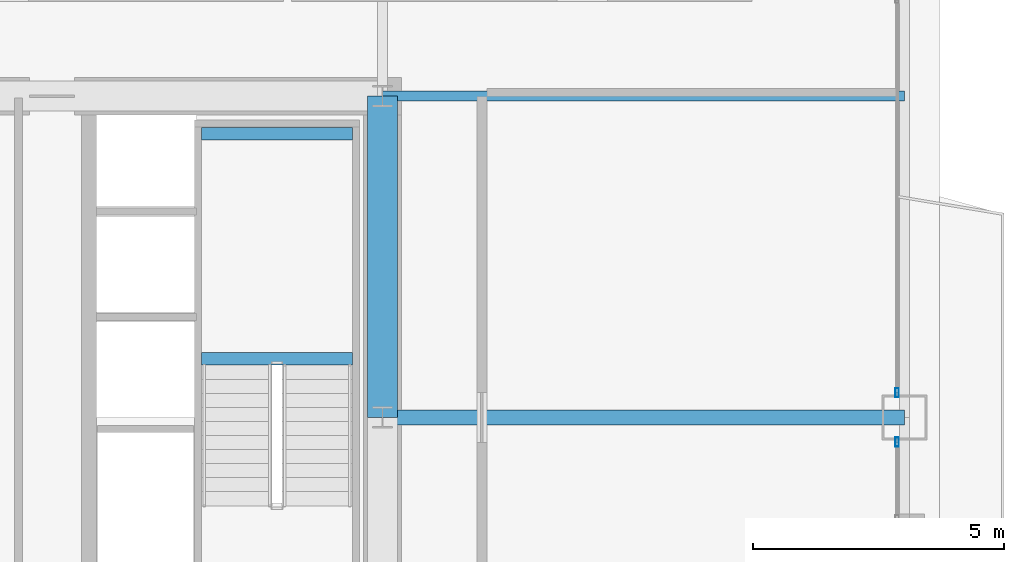
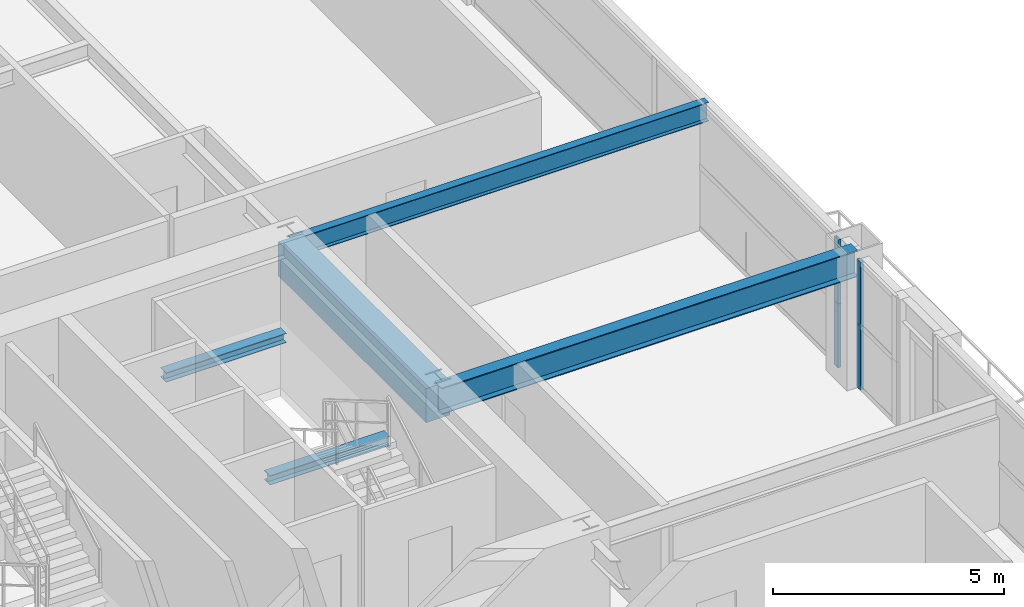
# One storey, part 22 of 43: 5 beams, 4 members, 2 elements without a shape of their own.
"""IFC4 building model written with IfcOpenShell, lengths in metres."""

import ifcopenshell
import ifcopenshell.guid

model = None  # the IFC model being written
_history = None  # IfcOwnerHistory: only IFC2X3 demands one
_inside = {}  # id of a spatial element -> (the spatial element, [elements in it])
_under = {}  # id of a project, library or spatial element -> (it, [spatial elements below it])
_declared = {}  # id of a project -> (the project, [libraries it declares])
_typed = {}  # id of a type object -> (the type object, [elements of that type])
_made_of = {}  # id of a material, layer set ... -> (it, [elements and type objects made of it])


def new_model(schema):
    """Start an empty IFC model of exactly this schema.

    Asked for "IFC4X3", IfcOpenShell would pick the latest addendum, in which some entities
    have other attributes; the version numbers below select the first issue.
    IFC2X3 requires an IfcOwnerHistory on every rooted entity: one is made here for all.
    """
    global model, _history
    if schema == "IFC4X3":
        model = ifcopenshell.file(schema_version=(4, 3, 0, 0))
    else:
        model = ifcopenshell.file(schema=schema)
    _inside.clear()
    _under.clear()
    _declared.clear()
    _typed.clear()
    _made_of.clear()
    _history = None
    if model.schema == "IFC2X3":
        org = make("IfcOrganization", Name="unknown")
        user = make(
            "IfcPersonAndOrganization",
            ThePerson=make("IfcPerson", FamilyName="unknown"),
            TheOrganization=org,
        )
        app = make(
            "IfcApplication",
            ApplicationDeveloper=org,
            Version="unknown",
            ApplicationFullName="unknown",
            ApplicationIdentifier="unknown",
        )
        _history = make(
            "IfcOwnerHistory",
            OwningUser=user,
            OwningApplication=app,
            ChangeAction="ADDED",
            CreationDate=0,
        )
    return model


def make(cls, **values):
    """One entity of the class cls with the attributes given. An attribute that is None is left unset."""
    return model.create_entity(
        cls, **{name: value for name, value in values.items() if value is not None}
    )


def rooted(cls, **values):
    """An entity with a GlobalId (a new one), such as an element, a storey or a relation."""
    return make(cls, GlobalId=ifcopenshell.guid.new(), OwnerHistory=_history, **values)


def si_unit(unit_type, name, prefix=None):
    """IfcSIUnit, for example si_unit("LENGTHUNIT", "METRE", prefix="MILLI")."""
    return make("IfcSIUnit", UnitType=unit_type, Prefix=prefix, Name=name)


def assignment(units):
    """IfcUnitAssignment: the units of a project."""
    return None if units is None else make("IfcUnitAssignment", Units=units)


def point(xyz):
    """IfcCartesianPoint."""
    return None if xyz is None else make("IfcCartesianPoint", Coordinates=xyz)


def direction(xyz):
    """IfcDirection."""
    return None if xyz is None else make("IfcDirection", DirectionRatios=xyz)


def frame(location, z_axis=None, x_axis=None):
    """IfcAxis2Placement3D, a coordinate frame: its origin and axes. An axis left out is left unset."""
    return make(
        "IfcAxis2Placement3D",
        Location=point(location),
        Axis=direction(z_axis),
        RefDirection=direction(x_axis),
    )


def frame_2d(location, x_axis=None):
    """IfcAxis2Placement2D, a coordinate frame in the plane: its origin and x axis."""
    return make(
        "IfcAxis2Placement2D", Location=point(location), RefDirection=direction(x_axis)
    )


def origin():
    """The frame at (0, 0, 0) with its axes left unset."""
    return frame((0.0, 0.0, 0.0))


def origin_2d():
    """The frame at (0, 0) in the plane with its x axis left unset."""
    return frame_2d((0.0, 0.0))


def place(relative_to, where):
    """IfcLocalPlacement: puts the frame where relative to a parent placement (None: the world)."""
    return make(
        "IfcLocalPlacement", PlacementRelTo=relative_to, RelativePlacement=where
    )


def context(
    kind, dimensions, precision=None, world=None, true_north=None, identifier=None
):
    """IfcGeometricRepresentationContext, for example the 3D "Model" context."""
    return make(
        "IfcGeometricRepresentationContext",
        ContextIdentifier=identifier,
        ContextType=kind,
        CoordinateSpaceDimension=dimensions,
        Precision=precision,
        WorldCoordinateSystem=world,
        TrueNorth=true_north,
    )


def subcontext(parent, identifier, kind, view, scale=None):
    """IfcGeometricRepresentationSubContext, for example "Body" below "Model"."""
    return make(
        "IfcGeometricRepresentationSubContext",
        ContextIdentifier=identifier,
        ContextType=kind,
        ParentContext=parent,
        TargetScale=scale,
        TargetView=view,
    )


def project(units=None, contexts=None):
    """IfcProject with its units and contexts."""
    return rooted(
        "IfcProject",
        Name="project",
        RepresentationContexts=contexts,
        UnitsInContext=assignment(units),
    )


def spatial(cls, under=None, at=None, **own):
    """A site, building, storey or space (cls), placed at a placement, below another one or the project."""
    s = rooted(cls, ObjectPlacement=at, **own)
    if under is not None:
        _under.setdefault(under.id(), (under, []))[1].append(s)
    return s


def profile(cls, at=None, kind="AREA", **sizes):
    """A parametric profile (cls). Its sizes go by their IFC names, for example OverallWidth=200.0."""
    return make(cls, ProfileType=kind, Position=at, **sizes)


def rectangle(**sizes):
    """IfcRectangleProfileDef."""
    return profile("IfcRectangleProfileDef", **sizes)


def hollow_rectangle(**sizes):
    """IfcRectangleHollowProfileDef."""
    return profile("IfcRectangleHollowProfileDef", **sizes)


def i_section(**sizes):
    """IfcIShapeProfileDef."""
    return profile("IfcIShapeProfileDef", **sizes)


def extrude(swept, where, along, depth):
    """IfcExtrudedAreaSolid: the profile swept, set in the frame where, extruded along a direction by depth."""
    return make(
        "IfcExtrudedAreaSolid",
        SweptArea=swept,
        Position=where,
        ExtrudedDirection=direction(along),
        Depth=depth,
    )


def shape(context_of_items, identifier, shape_type, items):
    """IfcShapeRepresentation: the items that make up one representation, for example the "Body"."""
    return make(
        "IfcShapeRepresentation",
        ContextOfItems=context_of_items,
        RepresentationIdentifier=identifier,
        RepresentationType=shape_type,
        Items=items,
    )


def source(mapping_origin, context_of_items, identifier, shape_type, items):
    """IfcRepresentationMap: a shape defined once, which mapped items show again and again."""
    return make(
        "IfcRepresentationMap",
        MappingOrigin=mapping_origin,
        MappedRepresentation=shape(context_of_items, identifier, shape_type, items),
    )


def transform(
    local_origin,
    x_axis=None,
    y_axis=None,
    z_axis=None,
    scale=None,
    scale2=None,
    scale3=None,
    uniform=True,
):
    """IfcCartesianTransformationOperator3D, or its non-uniform kind. x_axis, y_axis, z_axis: its Axis1, 2, 3."""
    if uniform:
        return make(
            "IfcCartesianTransformationOperator3D",
            Axis1=direction(x_axis),
            Axis2=direction(y_axis),
            LocalOrigin=point(local_origin),
            Scale=scale,
            Axis3=direction(z_axis),
        )
    return make(
        "IfcCartesianTransformationOperator3DnonUniform",
        Axis1=direction(x_axis),
        Axis2=direction(y_axis),
        LocalOrigin=point(local_origin),
        Scale=scale,
        Axis3=direction(z_axis),
        Scale2=scale2,
        Scale3=scale3,
    )


def mapped(mapping_source, mapping_target):
    """IfcMappedItem: shows the shape of a source again, moved by a transform."""
    return make(
        "IfcMappedItem", MappingSource=mapping_source, MappingTarget=mapping_target
    )


def material(Name=None, Category=None):
    """IfcMaterial."""
    return make("IfcMaterial", Name=Name, Category=Category)


def layer(
    of_material, thickness, ventilated=None, Name=None, Category=None, Priority=None
):
    """IfcMaterialLayer: one layer of a wall or slab, of a material (None: an air gap)."""
    return make(
        "IfcMaterialLayer",
        Material=of_material,
        LayerThickness=thickness,
        IsVentilated=ventilated,
        Name=Name,
        Category=Category,
        Priority=Priority,
    )


def layer_set(layers, Name=None):
    """IfcMaterialLayerSet."""
    return make("IfcMaterialLayerSet", MaterialLayers=layers, LayerSetName=Name)


def material_profile(
    of_material, cross_section, Name=None, Category=None, Priority=None
):
    """IfcMaterialProfile: a cross section and its material."""
    return make(
        "IfcMaterialProfile",
        Name=Name,
        Material=of_material,
        Profile=cross_section,
        Priority=Priority,
        Category=Category,
    )


def profile_set(profiles, Name=None, composite=None):
    """IfcMaterialProfileSet."""
    return make(
        "IfcMaterialProfileSet",
        Name=Name,
        MaterialProfiles=profiles,
        CompositeProfile=composite,
    )


def made_of(thing, what):
    """Note that an element or type object is made of a material, layer set ...; save() writes the relation."""
    if what is not None:
        _made_of.setdefault(what.id(), (what, []))[1].append(thing)
    return thing


def type_object(cls, material=None, **own):
    """A type object (cls), such as IfcWallType, which elements share."""
    return made_of(rooted(cls, **own), material)


def element(
    cls,
    number,
    at=None,
    inside=None,
    cuts=None,
    type_object=None,
    material=None,
    context=None,
    identifier="Body",
    shape_type=None,
    held_by="IfcProductDefinitionShape",
    body=None,
    shapes=None,
    **own,
):
    """One element of the class cls, such as IfcWall. Its Tag is "e" and its number.

    at: its placement. inside: the storey or other place that contains it. cuts: it is an
    opening in that element (IfcRelVoidsElement). A single representation is given by context,
    identifier, shape_type and body (its items); several are given by shapes. held_by: the class
    of the entity that holds the representations. save() writes the other relations.
    """
    e = rooted(cls, Tag="e%d" % number, ObjectPlacement=at, **own)
    if body is not None:
        shapes = [shape(context, identifier, shape_type, body)]
    if shapes is not None:
        e.Representation = make(held_by, Representations=shapes)
    if inside is not None:
        _inside.setdefault(inside.id(), (inside, []))[1].append(e)
    if cuts is not None:
        rooted(
            "IfcRelVoidsElement", RelatingBuildingElement=cuts, RelatedOpeningElement=e
        )
    if type_object is not None:
        _typed.setdefault(type_object.id(), (type_object, []))[1].append(e)
    return made_of(e, material)


def aggregate(whole, parts):
    """IfcRelAggregates: a whole, such as a stair, and the parts it consists of."""
    return rooted("IfcRelAggregates", RelatingObject=whole, RelatedObjects=parts)


def save(model, path):
    """Write the relations noted so far, then the file.

    IfcRelAggregates (storeys below a building ...), IfcRelContainedInSpatialStructure (elements
    in a storey), IfcRelDefinesByType, IfcRelAssociatesMaterial and IfcRelDeclares: one each for
    every whole, place, type object, material and project.
    """
    for whole, parts in _under.values():
        aggregate(whole, parts)
    for where, things in _inside.values():
        rooted(
            "IfcRelContainedInSpatialStructure",
            RelatedElements=things,
            RelatingStructure=where,
        )
    for kind, things in _typed.values():
        rooted("IfcRelDefinesByType", RelatedObjects=things, RelatingType=kind)
    for what, things in _made_of.values():
        rooted("IfcRelAssociatesMaterial", RelatedObjects=things, RelatingMaterial=what)
    for by, libraries in _declared.values():
        rooted("IfcRelDeclares", RelatingContext=by, RelatedDefinitions=libraries)
    model.write(path)


model = new_model("IFC4")

# Units and contexts
model_context = context("Model", 3, precision=1e-05, world=origin(), true_north=direction((0.0, 1.0)))
body_context = subcontext(model_context, "Body", "Model", "MODEL_VIEW")
ifc_project = project(units=[si_unit("LENGTHUNIT", "METRE"), si_unit("AREAUNIT", "SQUARE_METRE"), si_unit("VOLUMEUNIT", "CUBIC_METRE"), si_unit("PLANEANGLEUNIT", "RADIAN"), si_unit("MASSUNIT", "GRAM", prefix="KILO"), si_unit("THERMODYNAMICTEMPERATUREUNIT", "KELVIN"), si_unit("POWERUNIT", "WATT")], contexts=[model_context])

# Site, building, storey
site_placement = place(None, origin())
site = spatial("IfcSite", under=ifc_project, at=site_placement, CompositionType="ELEMENT")
building_placement = place(site_placement, origin())
building = spatial("IfcBuilding", under=site, at=building_placement, Name="Yuzanri Waterfront Tower", CompositionType="ELEMENT")
storey_placement = place(building_placement, frame((0.0, 0.0, 101.0)))
storey = spatial("IfcBuildingStorey", under=building, at=storey_placement, Name="L26", CompositionType="ELEMENT", Elevation=101.0)

# Beams
ifc_material_1 = material(Name="Concrete C60", Category="concrete")
ifc_material_profile_1 = material_profile(ifc_material_1, rectangle(XDim=0.60009765625, YDim=0.89990234375, at=origin_2d()), Name="RC 600x900")
ifc_profile_set_1 = profile_set([ifc_material_profile_1], Name="Concrete C60")
beam_type_1 = type_object("IfcBeamType", Name="Core Coupling Lintel Concrete C60 600x900", PredefinedType="LINTEL", material=ifc_profile_set_1)
shared_shape_1 = source(origin(), body_context, "Body", "SweptSolid", [
    extrude(rectangle(XDim=0.60009765625, YDim=0.89990234375, at=origin_2d()), origin(), (0.0, 0.0, 1.0), 6.39990234375),
])
beam_1_placement = place(storey_placement, frame((50.199951171875, 25.800048828125, 2.929931640625), z_axis=(0.0, 1.0, 0.0), x_axis=(-1.0, 0.0, 0.0)))
element("IfcBeam", 1, at=beam_1_placement, inside=storey, type_object=beam_type_1, Name="L26 Core Tie Beam CE2", PredefinedType="LINTEL", context=body_context, shape_type="MappedRepresentation", body=[
    mapped(shared_shape_1, transform((0.0, 0.0, 0.0), scale=1.0)),
])
ifc_material_2 = material(Name="Steel Q355B", Category="steel")
ifc_material_profile_2 = material_profile(ifc_material_2, i_section(OverallWidth=0.300048828125, OverallDepth=0.699951171875, WebThickness=0.012939453125, FlangeThickness=0.02392578125, at=origin_2d()), Name="HN 700x300x13x24")
ifc_profile_set_2 = profile_set([ifc_material_profile_2], Name="Steel Q355B")
beam_type_2 = type_object("IfcBeamType", Name="Primary Floor Girder Q355B HN 700x300", PredefinedType="BEAM", material=ifc_profile_set_2)
shared_shape_2 = source(origin(), body_context, "Body", "SweptSolid", [
    extrude(i_section(OverallWidth=0.300048828125, OverallDepth=0.699951171875, WebThickness=0.012939453125, FlangeThickness=0.02392578125, at=origin_2d()), origin(), (0.0, 0.0, 1.0), 10.400146484375),
])
beam_2_placement = place(storey_placement, frame((50.199951171875, 25.800048828125, 3.030029296875), z_axis=(1.0, 0.0, 0.0), x_axis=(0.0, 1.0, 0.0)))
element("IfcBeam", 2, at=beam_2_placement, inside=storey, type_object=beam_type_2, Name="L26 East Grid Girder", PredefinedType="BEAM", context=body_context, shape_type="MappedRepresentation", body=[
    mapped(shared_shape_2, transform((0.0, 0.0, 0.0), scale=1.0)),
])
ifc_material_3 = material(Name="Steel Q355B", Category="steel")
ifc_material_profile_3 = material_profile(ifc_material_3, i_section(OverallWidth=0.199951171875, OverallDepth=0.5, WebThickness=0.010009765625, FlangeThickness=0.01611328125, at=origin_2d()), Name="HN 500x200x10x16")
ifc_profile_set_3 = profile_set([ifc_material_profile_3], Name="Steel Q355B")
beam_type_3 = type_object("IfcBeamType", Name="Secondary Floor Beam Q355B HN 500x200", PredefinedType="BEAM", material=ifc_profile_set_3)
shared_shape_3 = source(origin(), body_context, "Body", "SweptSolid", [
    extrude(i_section(OverallWidth=0.199951171875, OverallDepth=0.5, WebThickness=0.010009765625, FlangeThickness=0.01611328125, at=origin_2d()), origin(), (0.0, 0.0, 1.0), 10.400146484375),
])
beam_3_placement = place(storey_placement, frame((50.199951171875, 32.199951171875, 3.1298828125), z_axis=(1.0, 0.0, 0.0), x_axis=(0.0, 1.0, 0.0)))
element("IfcBeam", 3, at=beam_3_placement, inside=storey, type_object=beam_type_3, Name="L26 East-North Core Line Beam", PredefinedType="BEAM", context=body_context, shape_type="MappedRepresentation", body=[
    mapped(shared_shape_3, transform((0.0, 0.0, 0.0), scale=1.0)),
])

# Curtain wall, members
ifc_material_4 = material(Name="Anodized Architectural Bronze", Category="metal")
ifc_layer = layer(ifc_material_4, 0.159912109375)
ifc_layer_set = layer_set([ifc_layer], Name="Anodized Architectural Bronze")
curtain_wall_type = type_object("IfcCurtainWallType", Name="Anodized Bronze Hotel Upper-Tier Solar-Control Unitized Curtain Wall 7800", PredefinedType="NOTDEFINED", material=ifc_layer_set)
curtain_wall_1_placement = place(storey_placement, origin())
curtain_wall_1 = element("IfcCurtainWall", 4, at=curtain_wall_1_placement, inside=storey, type_object=curtain_wall_type, Name="L26 Curtain Wall CW-L26-EL2", PredefinedType="NOTDEFINED")
ifc_material_5 = material(Name="Anodized Architectural Bronze", Category="metal")
ifc_material_profile_4 = material_profile(ifc_material_5, hollow_rectangle(XDim=0.070068359375, YDim=0.179931640625, WallThickness=0.00390625, at=origin_2d()), Name="CWM 70x180")
ifc_profile_set_4 = profile_set([ifc_material_profile_4], Name="Anodized Architectural Bronze")
member_type = type_object("IfcMemberType", Name="Anodized Bronze Standard Curtain-Wall Mullion 70x180", PredefinedType="MULLION", material=ifc_profile_set_4)
shared_shape_4 = source(origin(), body_context, "Body", "SweptSolid", [
    extrude(hollow_rectangle(XDim=0.070068359375, YDim=0.179931640625, WallThickness=0.00390625, at=origin_2d()), origin(), (0.0, 0.0, 1.0), 1.68798828125),
])
member_1_placement = place(storey_placement, frame((60.449951171875, 25.31005859375, 0.0), z_axis=(0.0, 0.0, 1.0), x_axis=(1.0, 0.0, 0.0)))
member_1 = element("IfcMember", 5, at=member_1_placement, type_object=member_type, Name="CW-L26-EL2 Lower Mullion 01", PredefinedType="MULLION", context=body_context, shape_type="MappedRepresentation", body=[
    mapped(shared_shape_4, transform((0.0, 0.0, 0.0), scale=1.0)),
])
member_2_placement = place(storey_placement, frame((60.449951171875, 25.31005859375, 1.69189453125), z_axis=(0.0, 0.0, 1.0), x_axis=(1.0, 0.0, 0.0)))
member_2 = element("IfcMember", 6, at=member_2_placement, type_object=member_type, Name="CW-L26-EL2 Upper Mullion 01", PredefinedType="MULLION", context=body_context, shape_type="MappedRepresentation", body=[
    mapped(shared_shape_4, transform((0.0, 0.0, 0.0), scale=1.0)),
])
aggregate(curtain_wall_1, [member_1, member_2])

curtain_wall_2_placement = place(storey_placement, origin())
curtain_wall_2 = element("IfcCurtainWall", 7, at=curtain_wall_2_placement, inside=storey, type_object=curtain_wall_type, Name="L26 Curtain Wall CW-L26-ER", PredefinedType="NOTDEFINED")
member_3_placement = place(storey_placement, frame((60.449951171875, 26.2900390625, 0.0), z_axis=(0.0, 0.0, 1.0), x_axis=(1.0, 0.0, 0.0)))
member_3 = element("IfcMember", 8, at=member_3_placement, type_object=member_type, Name="CW-L26-ER Lower Mullion 00", PredefinedType="MULLION", context=body_context, shape_type="MappedRepresentation", body=[
    mapped(shared_shape_4, transform((0.0, 0.0, 0.0), scale=1.0)),
])
member_4_placement = place(storey_placement, frame((60.449951171875, 26.2900390625, 1.69189453125), z_axis=(0.0, 0.0, 1.0), x_axis=(1.0, 0.0, 0.0)))
member_4 = element("IfcMember", 9, at=member_4_placement, type_object=member_type, Name="CW-L26-ER Upper Mullion 00", PredefinedType="MULLION", context=body_context, shape_type="MappedRepresentation", body=[
    mapped(shared_shape_4, transform((0.0, 0.0, 0.0), scale=1.0)),
])
aggregate(curtain_wall_2, [member_3, member_4])

# Beams
ifc_material_6 = material(Name="Steel Q355B", Category="steel")
ifc_material_profile_5 = material_profile(ifc_material_6, i_section(OverallWidth=0.25, OverallDepth=0.25, WebThickness=0.009033203125, FlangeThickness=0.013916015625, at=origin_2d()), Name="HW 250x250x9x14")
ifc_profile_set_5 = profile_set([ifc_material_profile_5], Name="Steel Q355B")
beam_type_4 = type_object("IfcBeamType", Name="Stair Landing Support Beam Q355B HW 250x250", PredefinedType="BEAM", material=ifc_profile_set_5)
shared_shape_5 = source(origin(), body_context, "Body", "SweptSolid", [
    extrude(i_section(OverallWidth=0.25, OverallDepth=0.25, WebThickness=0.009033203125, FlangeThickness=0.013916015625, at=origin_2d()), origin(), (0.0, 0.0, 1.0), 3.0),
])
for number, where, z_axis, x_axis, name in (
    (10, (46.60009765625, 26.969970703125, 1.47509765625), (1.0, 0.0, 0.0), (0.0, 1.0, 0.0), "L26 Stair Landing Support Beam ST-02-L26-L1-1"),
    (11, (46.60009765625, 31.449951171875, 1.47509765625), (1.0, 0.0, 0.0), (0.0, 1.0, 0.0), "L26 Stair Landing Support Beam ST-02-L26-L1-2"),
):
    element("IfcBeam", number, at=place(storey_placement, frame(where, z_axis=z_axis, x_axis=x_axis)), inside=storey, type_object=beam_type_4, Name=name, PredefinedType="BEAM", context=body_context, shape_type="MappedRepresentation", body=[
        mapped(shared_shape_5, transform((0.0, 0.0, 0.0), scale=1.0)),
    ])

save(model, "model.ifc")
